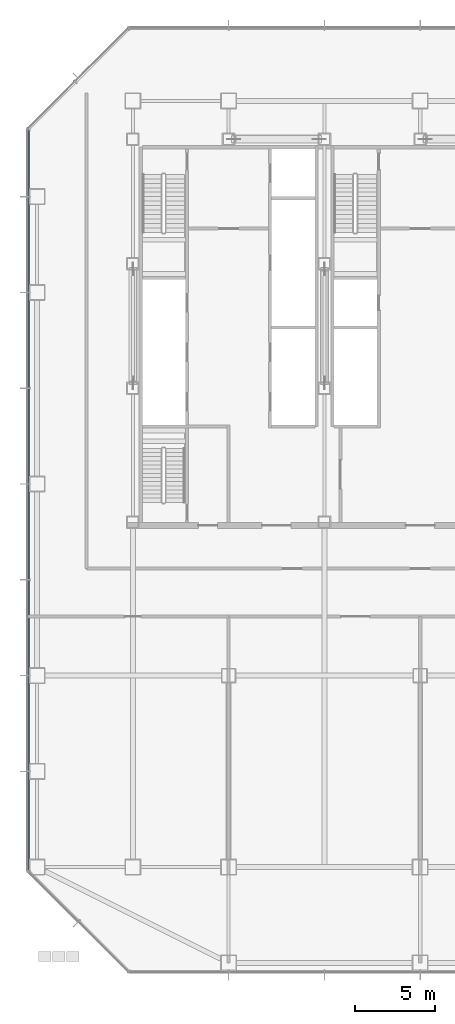
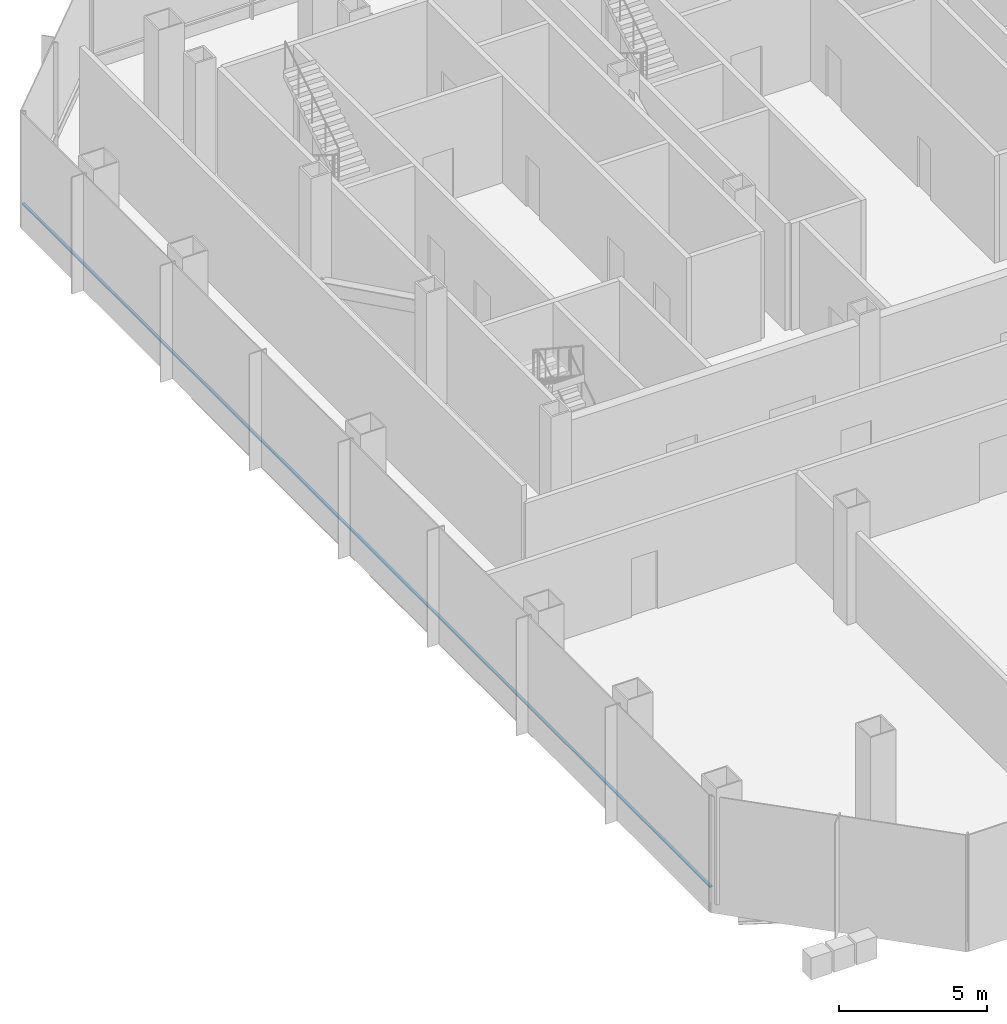
# One storey, part 5 of 33: 1 member, 1 element without a shape of its own.
"""IFC4 building model written with IfcOpenShell, lengths in metres."""

from ifc_helpers import new_model, si_unit, direction, frame, origin, origin_2d, place, context, subcontext, project, spatial, rectangle, extrude, material, material_profile, profile_set, type_object, element, aggregate, save


model = new_model("IFC4")

# Units and contexts
model_context = context("Model", 3, precision=1e-05, world=origin(), true_north=direction((0.0, 1.0)))
body_context = subcontext(model_context, "Body", "Model", "MODEL_VIEW")
ifc_project = project(units=[si_unit("LENGTHUNIT", "METRE"), si_unit("AREAUNIT", "SQUARE_METRE"), si_unit("VOLUMEUNIT", "CUBIC_METRE"), si_unit("PLANEANGLEUNIT", "RADIAN"), si_unit("MASSUNIT", "GRAM", prefix="KILO")], contexts=[model_context])

# Site, building, storey
site_placement = place(None, origin())
site = spatial("IfcSite", under=ifc_project, at=site_placement, CompositionType="ELEMENT")
building_placement = place(site_placement, origin())
building = spatial("IfcBuilding", under=site, at=building_placement, Name="Sorahane Residences", CompositionType="ELEMENT")
storey_placement = place(building_placement, frame((0.0, 0.0, 34.800048828125)))
storey = spatial("IfcBuildingStorey", under=building, at=storey_placement, Name="L05", CompositionType="ELEMENT", Elevation=34.800048828125)

# Curtain wall, member
ifc_material_1 = material(Name="Dark low-e glass and black anodised aluminium", Category="aluminium")
curtain_wall_type = type_object("IfcCurtainWallType", Name="Curtain wall CW-3 Podium unitised wall", PredefinedType="NOTDEFINED", material=ifc_material_1)
curtain_wall_placement = place(storey_placement, origin())
curtain_wall = element("IfcCurtainWall", 1, at=curtain_wall_placement, inside=storey, type_object=curtain_wall_type, Name="CW-3 curtain wall L05 W1", PredefinedType="NOTDEFINED")
ifc_material_2 = material(Name="Black anodised aluminium", Category="aluminium")
ifc_material_profile = material_profile(ifc_material_2, rectangle(XDim=0.10009765625, YDim=0.06005859375, at=origin_2d()), Name="Curtain wall transom CW-3 black anodised aluminium 60x100")
ifc_profile_set = profile_set([ifc_material_profile], Name="Black anodised aluminium")
member_type = type_object("IfcMemberType", Name="Curtain wall transom CW-3 black anodised aluminium 60x100", PredefinedType="USERDEFINED", material=ifc_profile_set)
member_placement = place(storey_placement, frame((-0.530029296875, 46.198486328125, 0.599853515625), z_axis=(0.0, -1.0, 0.0), x_axis=(1.0, 0.0, 0.0)))
member = element("IfcMember", 2, at=member_placement, type_object=member_type, Name="CW-3 transom L05 W1", ObjectType="TRANSOM", PredefinedType="USERDEFINED", context=body_context, shape_type="SweptSolid", body=[
    extrude(rectangle(XDim=0.10009765625, YDim=0.06005859375, at=origin_2d()), origin(), (0.0, 0.0, 1.0), 46.39697265625),
])
aggregate(curtain_wall, [member])

save(model, "model.ifc")
